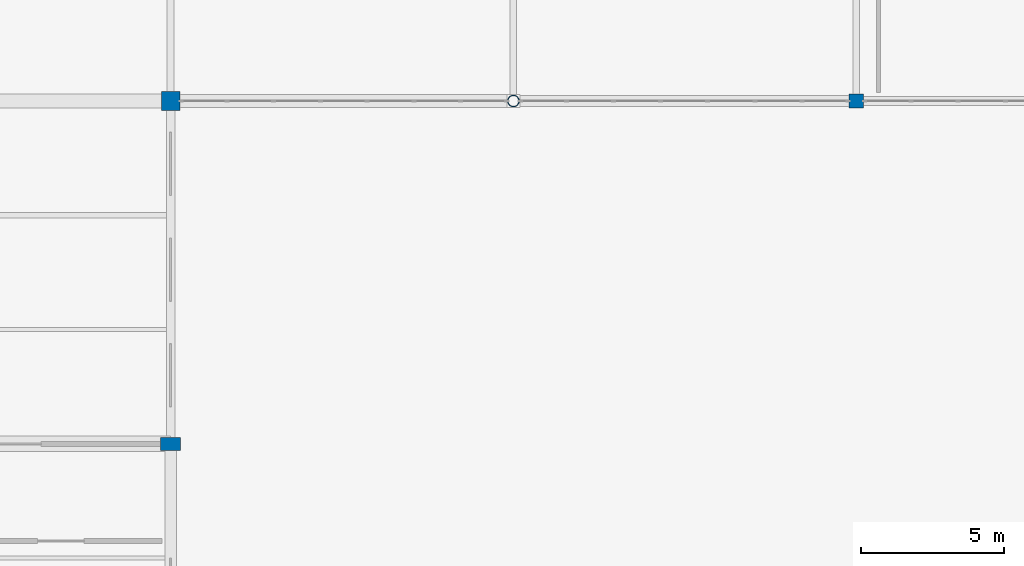
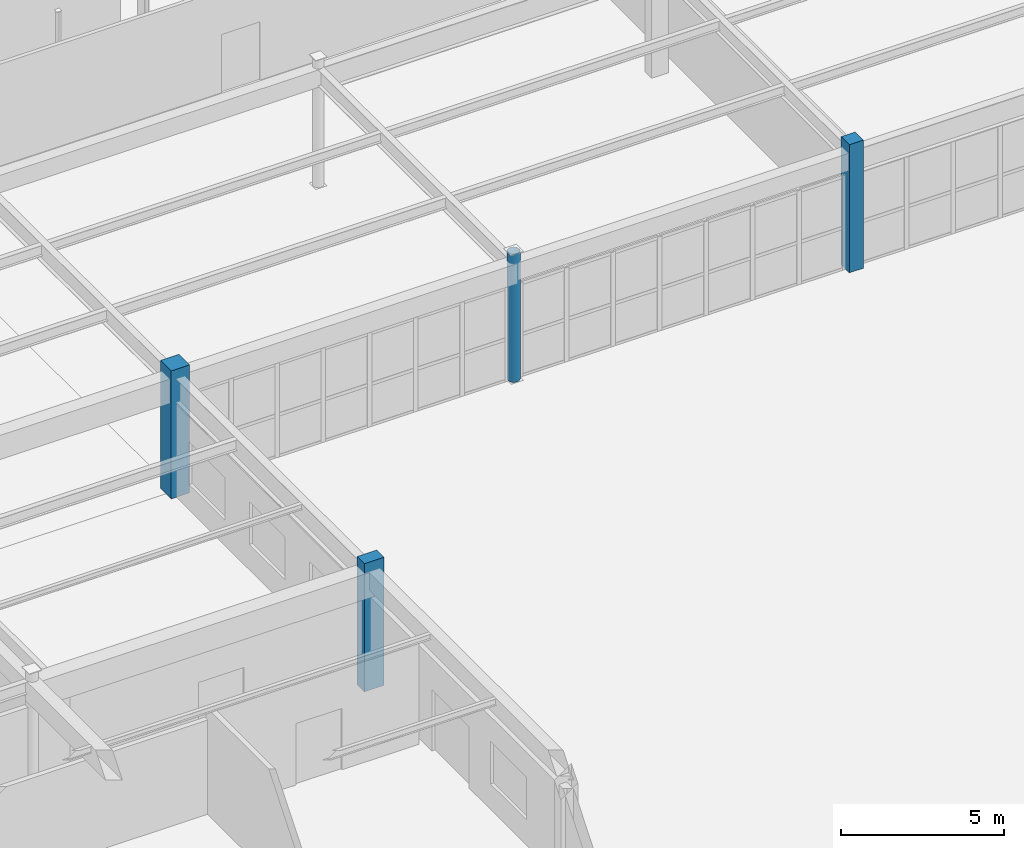
# One storey, part 28 of 199: 4 columns.
"""IFC4 building model written with IfcOpenShell, lengths in metres."""

from ifc_helpers import new_model, si_unit, direction, frame, origin, origin_2d, place, context, subcontext, project, spatial, rectangle, hollow_circle, extrude, material, material_profile, profile_set, type_object, element, save


model = new_model("IFC4")

# Units and contexts
model_context = context("Model", 3, precision=1e-05, world=origin(), true_north=direction((0.0, 1.0)))
body_context = subcontext(model_context, "Body", "Model", "MODEL_VIEW")
ifc_project = project(units=[si_unit("LENGTHUNIT", "METRE"), si_unit("AREAUNIT", "SQUARE_METRE"), si_unit("VOLUMEUNIT", "CUBIC_METRE"), si_unit("PLANEANGLEUNIT", "RADIAN"), si_unit("MASSUNIT", "GRAM", prefix="KILO")], contexts=[model_context])

# Site, building, storey
site_placement = place(None, origin())
site = spatial("IfcSite", under=ifc_project, at=site_placement, CompositionType="ELEMENT")
building_placement = place(site_placement, origin())
building = spatial("IfcBuilding", under=site, at=building_placement, Name="Tarnwether General Hospital", CompositionType="ELEMENT")
storey_placement = place(building_placement, origin())
storey = spatial("IfcBuildingStorey", under=building, at=storey_placement, Name="L00", CompositionType="ELEMENT", Elevation=0.0)

# Columns
ifc_material_1 = material(Name="Steel Grade C350L0 (350 MPa)", Category="steel")
ifc_material_profile_1 = material_profile(ifc_material_1, hollow_circle(Radius=0.203125, WallThickness=0.01611328125, at=origin_2d()), Name="CHS406.4x16.0")
ifc_profile_set_1 = profile_set([ifc_material_profile_1], Name="Steel Grade C350L0 (350 MPa)")
column_type_1 = type_object("IfcColumnType", Name="COL-10", PredefinedType="COLUMN", material=ifc_profile_set_1)
column_1_placement = place(storey_placement, frame((72.0, 81.60009765625, 0.0), z_axis=(0.0, 0.0, 1.0), x_axis=(1.0, 0.0, 0.0)))
element("IfcColumn", 1, at=column_1_placement, inside=storey, type_object=column_type_1, Name="Column COLG-L00-7200_8160", PredefinedType="COLUMN", context=body_context, shape_type="SweptSolid", body=[
    extrude(hollow_circle(Radius=0.203125, WallThickness=0.01611328125, at=origin_2d()), origin(), (0.0, 0.0, 1.0), 4.800048828125),
])
ifc_material_2 = material(Name="Concrete 50 MPa", Category="concrete")
ifc_material_profile_2 = material_profile(ifc_material_2, rectangle(XDim=0.5, YDim=0.5, at=origin_2d()), Name="RC-COL-500x500")
ifc_profile_set_2 = profile_set([ifc_material_profile_2], Name="Concrete 50 MPa")
column_type_2 = type_object("IfcColumnType", Name="COL-20", PredefinedType="COLUMN", material=ifc_profile_set_2)
column_2_placement = place(storey_placement, frame((84.0, 81.60009765625, 0.0), z_axis=(0.0, 0.0, 1.0), x_axis=(0.0, 1.0, 0.0)))
element("IfcColumn", 2, at=column_2_placement, inside=storey, type_object=column_type_2, Name="Column COLG-L00-8400_8160", PredefinedType="COLUMN", context=body_context, shape_type="SweptSolid", body=[
    extrude(rectangle(XDim=0.5, YDim=0.5, at=origin_2d()), origin(), (0.0, 0.0, 1.0), 4.800048828125),
])
ifc_material_3 = material(Name="Concrete 50 MPa", Category="concrete")
ifc_material_profile_3 = material_profile(ifc_material_3, rectangle(XDim=0.449951171875, YDim=0.699951171875, at=origin_2d()), Name="RC-PIL-450x700")
ifc_profile_set_3 = profile_set([ifc_material_profile_3], Name="Concrete 50 MPa")
column_type_3 = type_object("IfcColumnType", Name="COL-22", PredefinedType="PILASTER", material=ifc_profile_set_3)
column_3_placement = place(storey_placement, frame((60.0, 69.60009765625, 0.0), z_axis=(0.0, 0.0, 1.0), x_axis=(0.0, 1.0, 0.0)))
element("IfcColumn", 3, at=column_3_placement, inside=storey, type_object=column_type_3, Name="Column COLG-L00-6000_6960", PredefinedType="PILASTER", context=body_context, shape_type="SweptSolid", body=[
    extrude(rectangle(XDim=0.449951171875, YDim=0.699951171875, at=origin_2d()), origin(), (0.0, 0.0, 1.0), 4.800048828125),
])
ifc_material_4 = material(Name="Concrete 50 MPa", Category="concrete")
ifc_material_profile_4 = material_profile(ifc_material_4, rectangle(XDim=0.64990234375, YDim=0.64990234375, at=origin_2d()), Name="RC-COL-650x650")
ifc_profile_set_4 = profile_set([ifc_material_profile_4], Name="Concrete 50 MPa")
column_type_4 = type_object("IfcColumnType", Name="COL-35", PredefinedType="COLUMN", material=ifc_profile_set_4)
column_4_placement = place(storey_placement, frame((60.0, 81.60009765625, 0.0), z_axis=(0.0, 0.0, 1.0), x_axis=(0.0, 1.0, 0.0)))
element("IfcColumn", 4, at=column_4_placement, inside=storey, type_object=column_type_4, Name="Column COLG-L00-6000_8160", PredefinedType="COLUMN", context=body_context, shape_type="SweptSolid", body=[
    extrude(rectangle(XDim=0.64990234375, YDim=0.64990234375, at=origin_2d()), origin(), (0.0, 0.0, 1.0), 4.800048828125),
])

save(model, "model.ifc")
